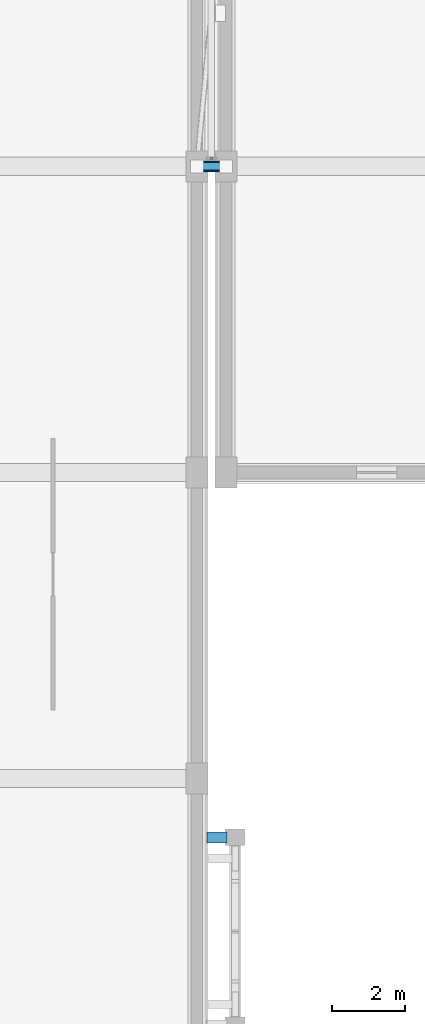
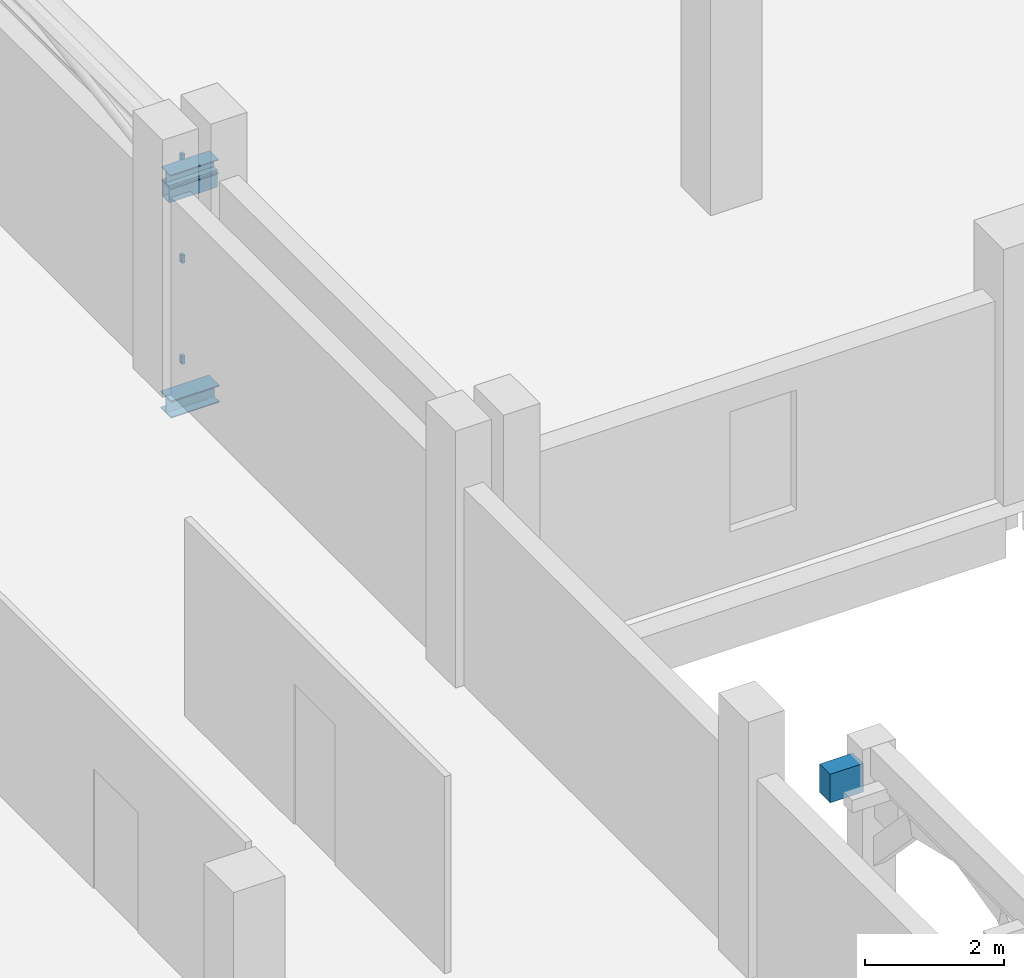
# One storey, part 84 of 137: 4 members, 3 beams, 1 element without a shape of its own.
"""IFC4 building model written with IfcOpenShell, lengths in metres."""

from ifc_helpers import new_model, si_unit, direction, frame, origin, origin_2d, place, context, subcontext, project, spatial, rectangle, hollow_rectangle, i_section, extrude, material, layer, layer_set, material_profile, profile_set, type_object, element, aggregate, save


model = new_model("IFC4")

# Units and contexts
model_context = context("Model", 3, precision=1e-05, world=origin(), true_north=direction((0.0, 1.0)))
body_context = subcontext(model_context, "Body", "Model", "MODEL_VIEW")
ifc_project = project(units=[si_unit("LENGTHUNIT", "METRE"), si_unit("AREAUNIT", "SQUARE_METRE"), si_unit("VOLUMEUNIT", "CUBIC_METRE"), si_unit("PLANEANGLEUNIT", "RADIAN"), si_unit("MASSUNIT", "GRAM", prefix="KILO")], contexts=[model_context])

# Site, building, storey
site_placement = place(None, origin())
site = spatial("IfcSite", under=ifc_project, at=site_placement, CompositionType="ELEMENT")
building_placement = place(site_placement, origin())
building = spatial("IfcBuilding", under=site, at=building_placement, Name="Xazarin Passage Department Store", CompositionType="ELEMENT")
storey_placement = place(building_placement, frame((0.0, 0.0, 5.39990234375)))
storey = spatial("IfcBuildingStorey", under=building, at=storey_placement, Name="L01", CompositionType="ELEMENT", Elevation=5.39990234375)

# Curtain wall, members
ifc_material_1 = material(Name="Bronze anodised aluminium", Category="aluminium")
ifc_layer = layer(ifc_material_1, 0.14990234375)
ifc_layer_set = layer_set([ifc_layer], Name="Bronze anodised aluminium")
curtain_wall_type = type_object("IfcCurtainWallType", Name="ARC-CW-BRG1", PredefinedType="NOTDEFINED", material=ifc_layer_set)
curtain_wall_placement = place(storey_placement, origin())
curtain_wall = element("IfcCurtainWall", 1, at=curtain_wall_placement, inside=storey, type_object=curtain_wall_type, Name="L01 BR-V2N-V4 Bridge Curtain Wall 1", PredefinedType="NOTDEFINED")
ifc_material_profile_1 = material_profile(ifc_material_1, hollow_rectangle(XDim=0.06494140625, YDim=0.139892578125, WallThickness=0.00390625, at=origin_2d()), Name="ALU 65x140")
ifc_profile_set_1 = profile_set([ifc_material_profile_1], Name="Bronze anodised aluminium")
member_type_1 = type_object("IfcMemberType", Name="ARC-CWT-65x140", PredefinedType="USERDEFINED", material=ifc_profile_set_1)
member_1_placement = place(storey_placement, frame((101.97509765625, 85.02001953125, 0.03271484375), z_axis=(1.0, 0.0, 0.0), x_axis=(0.0, 1.0, 0.0)))
member_1 = element("IfcMember", 2, at=member_1_placement, type_object=member_type_1, Name="CW7 transom 1.1", ObjectType="TRANSOM", PredefinedType="USERDEFINED", context=body_context, shape_type="SweptSolid", body=[
    extrude(hollow_rectangle(XDim=0.06494140625, YDim=0.139892578125, WallThickness=0.00390625, at=origin_2d()), origin(), (0.0, 0.0, 1.0), 0.0498046875),
])
member_2_placement = place(storey_placement, frame((101.97509765625, 85.02001953125, 1.800048828125), z_axis=(1.0, 0.0, 0.0), x_axis=(0.0, 1.0, 0.0)))
member_2 = element("IfcMember", 3, at=member_2_placement, type_object=member_type_1, Name="CW7 transom 1.2", ObjectType="TRANSOM", PredefinedType="USERDEFINED", context=body_context, shape_type="SweptSolid", body=[
    extrude(hollow_rectangle(XDim=0.06494140625, YDim=0.139892578125, WallThickness=0.00390625, at=origin_2d()), origin(), (0.0, 0.0, 1.0), 0.0498046875),
])
member_3_placement = place(storey_placement, frame((101.97509765625, 85.02001953125, 3.567626953125), z_axis=(1.0, 0.0, 0.0), x_axis=(0.0, 1.0, 0.0)))
member_3 = element("IfcMember", 4, at=member_3_placement, type_object=member_type_1, Name="CW7 transom 1.3", ObjectType="TRANSOM", PredefinedType="USERDEFINED", context=body_context, shape_type="SweptSolid", body=[
    extrude(hollow_rectangle(XDim=0.06494140625, YDim=0.139892578125, WallThickness=0.00390625, at=origin_2d()), origin(), (0.0, 0.0, 1.0), 0.0498046875),
])
aggregate(curtain_wall, [member_1, member_2, member_3])

# Beams
ifc_material_2 = material(Name="Steel S355", Category="steel")
ifc_material_profile_2 = material_profile(ifc_material_2, i_section(OverallWidth=0.300048828125, OverallDepth=0.300048828125, WebThickness=0.010986328125, FlangeThickness=0.01904296875, FilletRadius=0.027099609375, at=origin_2d()), Name="HEB 300")
ifc_profile_set_2 = profile_set([ifc_material_profile_2], Name="Steel S355")
beam_type_1 = type_object("IfcBeamType", Name="STR-BM-BR300", PredefinedType="BEAM", material=ifc_profile_set_2)
beam_1_placement = place(storey_placement, frame((101.60009765625, 84.800048828125, -0.489990234375), z_axis=(1.0, 0.0, 0.0), x_axis=(0.0, 1.0, 0.0)))
element("IfcBeam", 5, at=beam_1_placement, inside=storey, type_object=beam_type_1, Name="L01 BR-V2N-V4 Bridge Girder A", PredefinedType="BEAM", context=body_context, shape_type="SweptSolid", body=[
    extrude(i_section(OverallWidth=0.300048828125, OverallDepth=0.300048828125, WebThickness=0.010986328125, FlangeThickness=0.01904296875, FilletRadius=0.027099609375, at=origin_2d()), origin(), (0.0, 0.0, 1.0), 0.7998046875),
])
ifc_material_profile_3 = material_profile(ifc_material_2, i_section(OverallWidth=0.260009765625, OverallDepth=0.25, WebThickness=0.007568359375, FlangeThickness=0.012451171875, FilletRadius=0.02392578125, at=origin_2d()), Name="HEA 260")
ifc_profile_set_3 = profile_set([ifc_material_profile_3], Name="Steel S355")
beam_type_2 = type_object("IfcBeamType", Name="STR-BM-CAN260", PredefinedType="BEAM", material=ifc_profile_set_3)
beam_2_placement = place(storey_placement, frame((101.60009765625, 84.800048828125, 3.47509765625), z_axis=(1.0, 0.0, 0.0), x_axis=(0.0, 1.0, 0.0)))
element("IfcBeam", 6, at=beam_2_placement, inside=storey, type_object=beam_type_2, Name="L01 BR-V2N-V4 Bridge Roof Beam A", PredefinedType="BEAM", context=body_context, shape_type="SweptSolid", body=[
    extrude(i_section(OverallWidth=0.260009765625, OverallDepth=0.25, WebThickness=0.007568359375, FlangeThickness=0.012451171875, FilletRadius=0.02392578125, at=origin_2d()), origin(), (0.0, 0.0, 1.0), 0.7998046875),
])
ifc_material_3 = material(Name="Concrete C35/45", Category="concrete")
ifc_material_profile_4 = material_profile(ifc_material_3, rectangle(XDim=0.300048828125, YDim=0.5, at=origin_2d()), Name="RC 300x500")
ifc_profile_set_4 = profile_set([ifc_material_profile_4], Name="Concrete C35/45")
beam_type_3 = type_object("IfcBeamType", Name="STR-BM-LN300x500", PredefinedType="LINTEL", material=ifc_profile_set_4)
beam_3_placement = place(storey_placement, frame((101.8798828125, 66.3798828125, 3.9501953125), z_axis=(1.0, 0.0, 0.0), x_axis=(0.0, 1.0, 0.0)))
element("IfcBeam", 7, at=beam_3_placement, inside=storey, type_object=beam_type_3, Name="L01 V2N Colonnade Tie Rib 025R", PredefinedType="LINTEL", context=body_context, shape_type="SweptSolid", body=[
    extrude(rectangle(XDim=0.300048828125, YDim=0.5, at=origin_2d()), origin(), (0.0, 0.0, 1.0), 0.550048828125),
])

# Member
ifc_material_profile_5 = material_profile(ifc_material_2, hollow_rectangle(XDim=0.199951171875, YDim=0.300048828125, WallThickness=0.012451171875, at=origin_2d()), Name="RHS 300x200x12.5")
ifc_profile_set_5 = profile_set([ifc_material_profile_5], Name="Steel S355")
member_type_2 = type_object("IfcMemberType", Name="STR-MEM-CH300", PredefinedType="CHORD", material=ifc_profile_set_5)
member_4_placement = place(storey_placement, frame((101.60009765625, 84.800048828125, 3.25), z_axis=(1.0, 0.0, 0.0), x_axis=(0.0, 1.0, 0.0)))
element("IfcMember", 8, at=member_4_placement, inside=storey, type_object=member_type_2, Name="L01 BR-V2N-V4 Bridge Chord A", PredefinedType="CHORD", context=body_context, shape_type="SweptSolid", body=[
    extrude(hollow_rectangle(XDim=0.199951171875, YDim=0.300048828125, WallThickness=0.012451171875, at=origin_2d()), origin(), (0.0, 0.0, 1.0), 0.7998046875),
])

save(model, "model.ifc")
